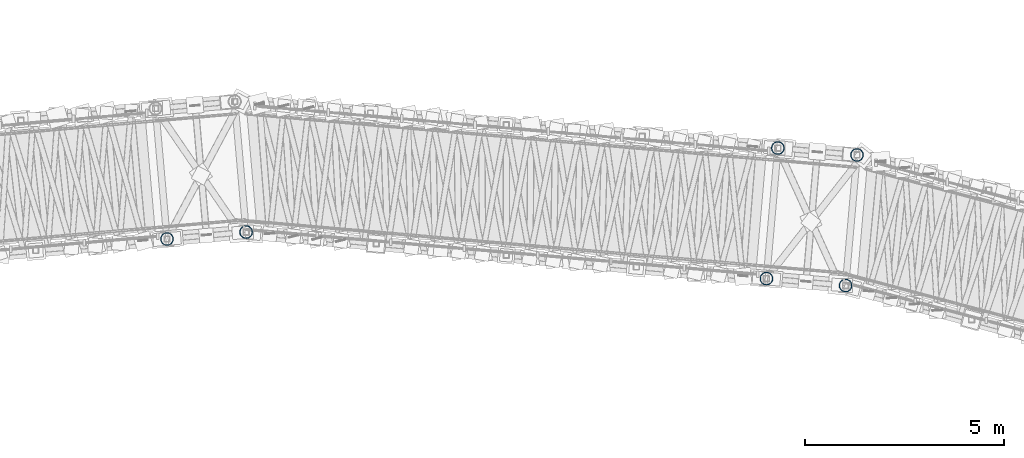
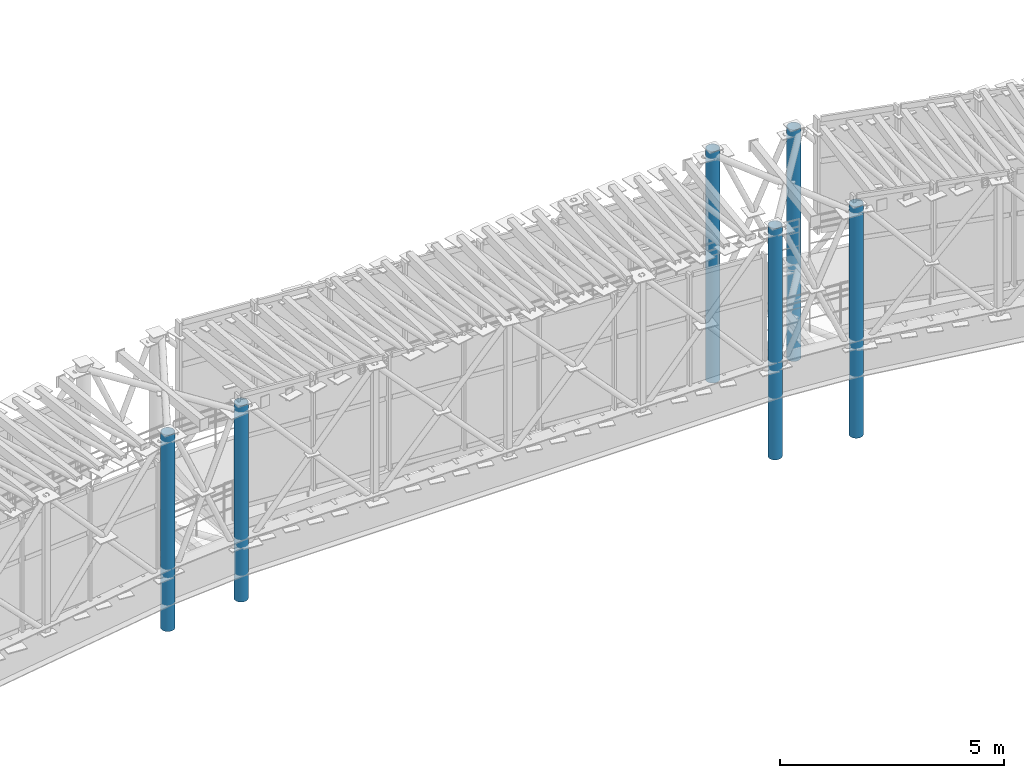
# One storey, part 17 of 144: 6 columns.
"""IFC4 building model written with IfcOpenShell, lengths in metres."""

from ifc_helpers import new_model, si_unit, direction, frame, origin, origin_2d, place, context, subcontext, project, spatial, hollow_circle, extrude, material, material_profile, profile_set, type_object, element, save


model = new_model("IFC4")

# Units and contexts
model_context = context("Model", 3, precision=1e-05, world=origin(), true_north=direction((0.0, 1.0)))
body_context = subcontext(model_context, "Body", "Model", "MODEL_VIEW")
ifc_project = project(units=[si_unit("LENGTHUNIT", "METRE"), si_unit("AREAUNIT", "SQUARE_METRE"), si_unit("VOLUMEUNIT", "CUBIC_METRE"), si_unit("PLANEANGLEUNIT", "RADIAN"), si_unit("MASSUNIT", "GRAM", prefix="KILO")], contexts=[model_context])

# Site, building, storey
site_placement = place(None, origin())
site = spatial("IfcSite", under=ifc_project, at=site_placement, CompositionType="ELEMENT")
building_placement = place(site_placement, origin())
building = spatial("IfcBuilding", under=site, at=building_placement, Name="Cinderbank Siding Concert Hall", CompositionType="ELEMENT")
storey_placement = place(building_placement, frame((0.0, 0.0, 5.39990234375)))
storey = spatial("IfcBuildingStorey", under=building, at=storey_placement, Name="L02", CompositionType="ELEMENT", Elevation=5.39990234375)

# Columns
ifc_material = material(Name="Structural steel hollow section AS/NZS 1163 Grade C350L0 (350 MPa)", Category="steel")
ifc_material_profile = material_profile(ifc_material, hollow_circle(Radius=0.161865234375, WallThickness=0.0126953125, at=origin_2d()), Name="323.9x12.7CHS", Category="LoadBearing")
ifc_profile_set = profile_set([ifc_material_profile], Name="Structural steel hollow section AS/NZS 1163 Grade C350L0 (350 MPa)")
column_type = type_object("IfcColumnType", Name="C-CHS323 323.9x12.7CHS", PredefinedType="COLUMN", material=ifc_profile_set)
for number, where, z_axis, x_axis, name in (
    (1, (77.489013671875, 98.97412109375, 0.0), (0.0, 0.0, 1.0), (1.0, 0.0, 0.0), "L02 Column COL-BRR-03"),
    (2, (79.48095703125, 99.14794921875, 0.0), (0.0, 0.0, 1.0), (1.0, 0.0, 0.0), "L02 Column COL-BRR-04"),
):
    element("IfcColumn", number, at=place(storey_placement, frame(where, z_axis=z_axis, x_axis=x_axis)), inside=storey, type_object=column_type, Name=name, PredefinedType="COLUMN", context=body_context, shape_type="SweptSolid", body=[
        extrude(hollow_circle(Radius=0.161865234375, WallThickness=0.0126953125, at=origin_2d()), origin(), (0.0, 0.0, 1.0), 5.35009765625),
    ])
for number, where, z_axis, x_axis, name in (
    (3, (92.8701171875, 101.263916015625, 0.0), (0.0, 0.0, 1.0), (1.0, 0.0, 0.0), "L02 Column COL-BRL-05"),
    (4, (92.5830078125, 97.97705078125, 0.0), (0.0, 0.0, 1.0), (1.0, 0.0, 0.0), "L02 Column COL-BRR-05"),
    (5, (94.863037109375, 101.090087890625, 0.0), (0.0, 0.0, 1.0), (1.0, 0.0, 0.0), "L02 Column COL-BRL-06"),
    (6, (94.574951171875, 97.802001953125, 0.0), (0.0, 0.0, 1.0), (1.0, 0.0, 0.0), "L02 Column COL-BRR-06"),
):
    element("IfcColumn", number, at=place(storey_placement, frame(where, z_axis=z_axis, x_axis=x_axis)), inside=storey, type_object=column_type, Name=name, PredefinedType="COLUMN", context=body_context, shape_type="SweptSolid", body=[
        extrude(hollow_circle(Radius=0.161865234375, WallThickness=0.0126953125, at=origin_2d()), origin(), (0.0, 0.0, 1.0), 6.31005859375),
    ])

save(model, "model.ifc")
